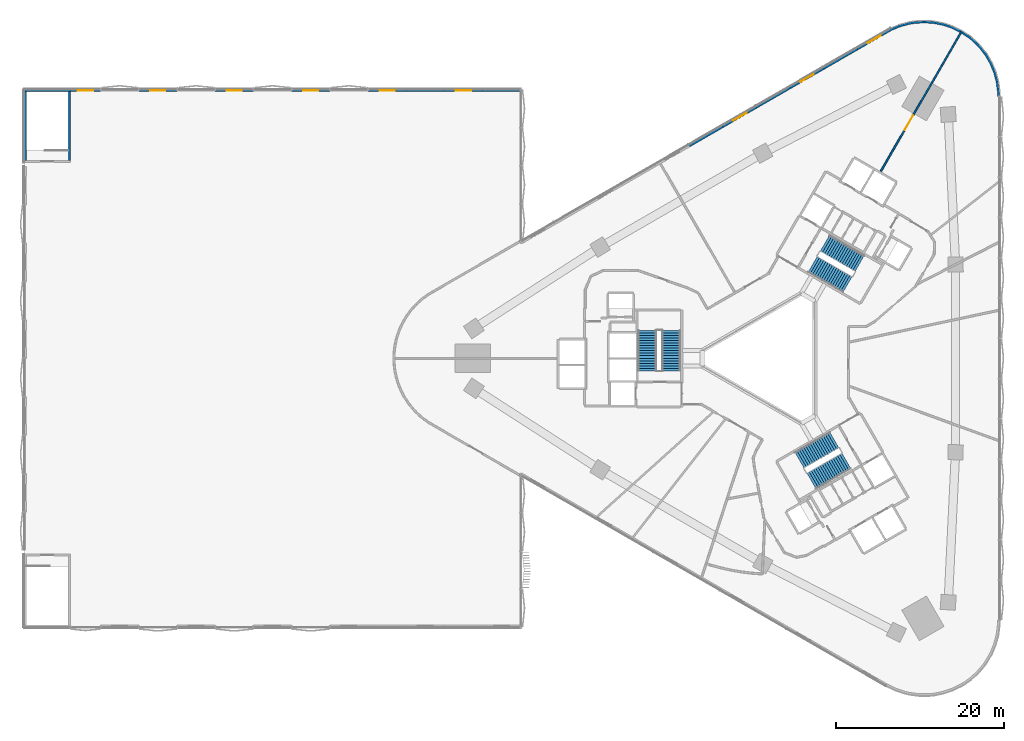
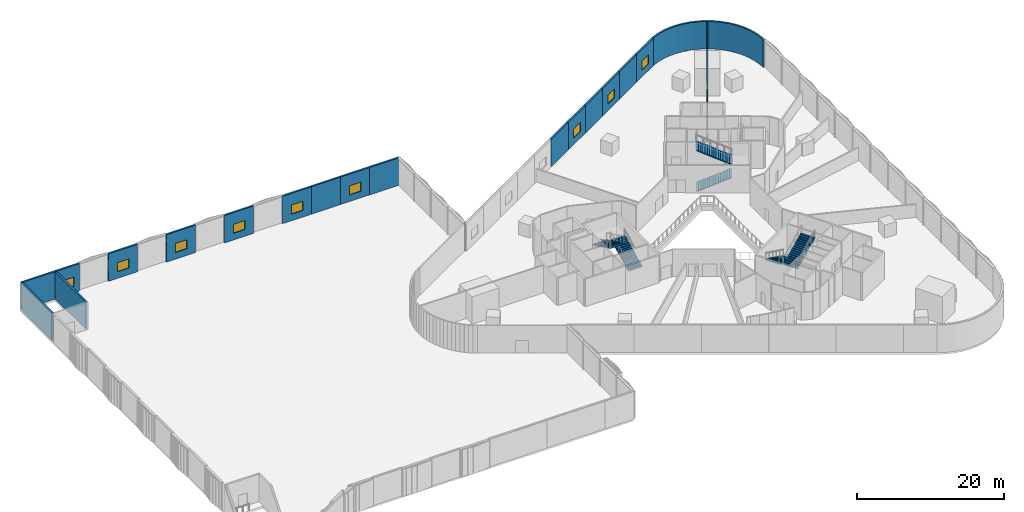
# One storey, part 17 of 24: 19 walls, 9 windows, 6 stair flights, 1 door, 10 openings, 3 elements without a shape of their own.
"""IFC4 building model written with IfcOpenShell, lengths in metres."""

from ifc_helpers import new_model, si_unit, direction, frame, frame_2d, origin, place, context, subcontext, project, spatial, polyline, rectangle, outline, extrude, material, layer, layer_set, type_object, element, fill, aggregate, save


model = new_model("IFC4")

# Units and contexts
model_context = context("Model", 3, precision=1e-05, world=origin(), true_north=direction((0.0, 1.0)))
body_context = subcontext(model_context, "Body", "Model", "MODEL_VIEW")
ifc_project = project(units=[si_unit("LENGTHUNIT", "METRE"), si_unit("AREAUNIT", "SQUARE_METRE"), si_unit("VOLUMEUNIT", "CUBIC_METRE"), si_unit("PLANEANGLEUNIT", "RADIAN"), si_unit("MASSUNIT", "GRAM", prefix="KILO")], contexts=[model_context])

# Site, building, storey
site_placement = place(None, origin())
site = spatial("IfcSite", under=ifc_project, at=site_placement, CompositionType="ELEMENT")
building_placement = place(site_placement, origin())
building = spatial("IfcBuilding", under=site, at=building_placement, Name="Tamra Quay Hotel Tower", CompositionType="ELEMENT")
storey_placement = place(building_placement, frame((0.0, 0.0, 19.5)))
storey = spatial("IfcBuildingStorey", under=building, at=storey_placement, Name="L03", CompositionType="ELEMENT", Elevation=19.5)

# Walls
ifc_material_1 = material(Name="Concrete M70", Category="concrete")
ifc_layer_1 = layer(ifc_material_1, 0.199951171875)
ifc_layer_set_1 = layer_set([ifc_layer_1], Name="Concrete M70 core wall 200")
wall_type_1 = type_object("IfcWallType", Name="Concrete M70 core wall 200", PredefinedType="SHEAR", material=ifc_layer_set_1)
wall_1_placement = place(storey_placement, frame((-89.10009765625, 31.875, 0.0), z_axis=(0.0, 0.0, 1.0), x_axis=(1.0, 0.0, 0.0)))
element("IfcWall", 1, at=wall_1_placement, inside=storey, type_object=wall_type_1, Name="CW2", PredefinedType="SHEAR", context=body_context, shape_type="SweptSolid", body=[
    extrude(rectangle(XDim=5.5, YDim=0.25, at=frame_2d((2.75, 0.0))), origin(), (0.0, 0.0, 1.0), 4.550048828125),
])
for number, where, z_axis, x_axis, name in (
    (2, (-88.97509765625, 23.550048828125, 0.0), (0.0, 0.0, 1.0), (0.0, 1.0, 0.0), "CW2"),
    (3, (-83.72509765625, 23.550048828125, 0.0), (0.0, 0.0, 1.0), (0.0, 1.0, 0.0), "CW2"),
):
    element("IfcWall", number, at=place(storey_placement, frame(where, z_axis=z_axis, x_axis=x_axis)), inside=storey, type_object=wall_type_1, Name=name, PredefinedType="SHEAR", context=body_context, shape_type="SweptSolid", body=[
        extrude(rectangle(XDim=8.199951171875, YDim=0.25, at=frame_2d((4.10009765625, 0.0))), origin(), (0.0, 0.0, 1.0), 4.550048828125),
    ])
ifc_material_2 = material(Name="Blockwork masonry plastered", Category="masonry")
ifc_layer_2 = layer(ifc_material_2, 0.25)
ifc_layer_set_2 = layer_set([ifc_layer_2], Name="EXTERNAL WALL 250")
wall_type_2 = type_object("IfcWallType", Name="EXTERNAL WALL 250", PredefinedType="SOLIDWALL", material=ifc_layer_set_2)
wall_2_placement = place(storey_placement, origin())
element("IfcWall", 4, at=wall_2_placement, inside=storey, type_object=wall_type_2, Name="EW1", PredefinedType="SOLIDWALL", context=body_context, shape_type="SweptSolid", body=[
    extrude(outline(polyline([(27.0, 31.177001953125), (26.980712890625, 31.765625), (26.8271484375, 32.9326171875), (26.5224609375, 34.06982421875), (26.07177734375, 35.157470703125), (25.483154296875, 36.177001953125), (24.7666015625, 37.111083984375), (23.93408203125, 37.943359375), (23.478759765625, 38.317138671875), (22.5, 38.97119140625), (21.444091796875, 39.491943359375), (20.329345703125, 39.870361328125), (19.1748046875, 40.099853515625), (18.0, 40.177001953125), (16.8251953125, 40.099853515625), (16.244140625, 40.00390625), (15.10693359375, 39.69921875), (14.019287109375, 39.248779296875), (14.114990234375, 39.017822265625), (15.1875, 39.462158203125), (16.297119140625, 39.75927734375), (16.853759765625, 39.851318359375), (18.0, 39.92626953125), (19.14208984375, 39.8515625), (20.2646484375, 39.628173828125), (21.348388671875, 39.26025390625), (22.374755859375, 38.754150390625), (23.329833984375, 38.115966796875), (23.76611328125, 37.758056640625), (24.578125, 36.94580078125), (25.27490234375, 36.037841796875), (25.84716796875, 35.046630859375), (26.28515625, 33.9892578125), (26.581298828125, 32.8837890625), (26.731201171875, 31.7451171875), (26.750244140625, 31.168701171875), (27.0, 31.177001953125)])), origin(), (0.0, 0.0, 1.0), 4.550048828125),
])

# Wall, opening, window
wall_3_placement = place(storey_placement, frame((10.080078125, 36.83203125, 0.0), z_axis=(0.0, 0.0, 1.0), x_axis=(0.866216377649, 0.499669077583, 0.0)))
wall_3 = element("IfcWall", 5, at=wall_3_placement, inside=storey, type_object=wall_type_2, Name="EW1", PredefinedType="SOLIDWALL", context=body_context, shape_type="SweptSolid", body=[
    extrude(rectangle(XDim=4.619873046875, YDim=0.25, at=frame_2d((2.31005859375, 0.0))), origin(), (0.0, 0.0, 1.0), 4.550048828125),
])
opening_1_placement = place(wall_3_placement, frame((1.409912109375, 0.0, 1.10009765625)))
opening_1 = element("IfcOpeningElement", 6, at=opening_1_placement, cuts=wall_3, Name="Opening PW2", PredefinedType="OPENING", context=body_context, shape_type="SweptSolid", body=[
    extrude(rectangle(XDim=1.800048828125, YDim=1.5, at=frame_2d((0.89990234375, 0.75))), frame((0.0, 0.135009765625, 0.0), z_axis=(0.0, -1.0, 0.0), x_axis=(1.0, 0.0, 0.0)), (0.0, 0.0, 1.0), 0.27001953125),
])
ifc_material_3 = material(Name="Aluminium window with clear glass", Category="aluminium")
window_type = type_object("IfcWindowType", Name="PODIUM WINDOW 1800X1500", PartitioningType="DOUBLE_PANEL_VERTICAL", PredefinedType="WINDOW", material=ifc_material_3)
window_1_placement = place(opening_1_placement, origin())
window_1 = element("IfcWindow", 7, at=window_1_placement, inside=storey, type_object=window_type, Name="PW2", OverallHeight=1.5, OverallWidth=1.800048828125, PartitioningType="SINGLE_PANEL", PredefinedType="WINDOW", context=body_context, shape_type="SweptSolid", body=[
    extrude(rectangle(XDim=1.800048828125, YDim=1.5, at=frame_2d((0.89990234375, 0.75))), frame((0.0, 0.030029296875, 0.0), z_axis=(0.0, -1.0, 0.0), x_axis=(1.0, 0.0, 0.0)), (0.0, 0.0, 1.0), 0.06005859375),
])
fill(opening_1, window_1)

# Wall
wall_4_placement = place(storey_placement, frame((6.078369140625, 34.523681640625, 0.0), z_axis=(0.0, 0.0, 1.0), x_axis=(0.866216377649, 0.499669077583, 0.0)))
element("IfcWall", 8, at=wall_4_placement, inside=storey, type_object=wall_type_2, Name="EW1", PredefinedType="SOLIDWALL", context=body_context, shape_type="SweptSolid", body=[
    extrude(rectangle(XDim=4.619873046875, YDim=0.25, at=frame_2d((2.31005859375, 0.0))), origin(), (0.0, 0.0, 1.0), 4.550048828125),
])

# Wall, opening, window
wall_5_placement = place(storey_placement, frame((2.07666015625, 32.21533203125, 0.0), z_axis=(0.0, 0.0, 1.0), x_axis=(0.866216377649, 0.499669077583, 0.0)))
wall_5 = element("IfcWall", 9, at=wall_5_placement, inside=storey, type_object=wall_type_2, Name="EW1", PredefinedType="SOLIDWALL", context=body_context, shape_type="SweptSolid", body=[
    extrude(rectangle(XDim=4.619873046875, YDim=0.25, at=frame_2d((2.31005859375, 0.0))), origin(), (0.0, 0.0, 1.0), 4.550048828125),
])
opening_2_placement = place(wall_5_placement, frame((1.409912109375, 0.0, 1.10009765625)))
opening_2 = element("IfcOpeningElement", 10, at=opening_2_placement, cuts=wall_5, Name="Opening PW2", PredefinedType="OPENING", context=body_context, shape_type="SweptSolid", body=[
    extrude(rectangle(XDim=1.800048828125, YDim=1.5, at=frame_2d((0.89990234375, 0.75))), frame((0.0, 0.135009765625, 0.0), z_axis=(0.0, -1.0, 0.0), x_axis=(1.0, 0.0, 0.0)), (0.0, 0.0, 1.0), 0.27001953125),
])
window_2_placement = place(opening_2_placement, origin())
window_2 = element("IfcWindow", 11, at=window_2_placement, inside=storey, type_object=window_type, Name="PW2", OverallHeight=1.5, OverallWidth=1.800048828125, PartitioningType="SINGLE_PANEL", PredefinedType="WINDOW", context=body_context, shape_type="SweptSolid", body=[
    extrude(rectangle(XDim=1.800048828125, YDim=1.5, at=frame_2d((0.89990234375, 0.75))), frame((0.0, 0.030029296875, 0.0), z_axis=(0.0, -1.0, 0.0), x_axis=(1.0, 0.0, 0.0)), (0.0, 0.0, 1.0), 0.06005859375),
])
fill(opening_2, window_2)

# Wall
wall_6_placement = place(storey_placement, frame((-1.92529296875, 29.906982421875, 0.0), z_axis=(0.0, 0.0, 1.0), x_axis=(0.866229571029, 0.499646205105, 0.0)))
element("IfcWall", 12, at=wall_6_placement, inside=storey, type_object=wall_type_2, Name="EW1", PredefinedType="SOLIDWALL", context=body_context, shape_type="SweptSolid", body=[
    extrude(rectangle(XDim=4.619873046875, YDim=0.25, at=frame_2d((2.31005859375, 0.0))), origin(), (0.0, 0.0, 1.0), 4.550048828125),
])

# Wall, opening, window
wall_7_placement = place(storey_placement, frame((-5.927001953125, 27.598388671875, 0.0), z_axis=(0.0, 0.0, 1.0), x_axis=(0.866193503994, 0.4997087288, 0.0)))
wall_7 = element("IfcWall", 13, at=wall_7_placement, inside=storey, type_object=wall_type_2, Name="EW1", PredefinedType="SOLIDWALL", context=body_context, shape_type="SweptSolid", body=[
    extrude(rectangle(XDim=4.619873046875, YDim=0.25, at=frame_2d((2.31005859375, 0.0))), origin(), (0.0, 0.0, 1.0), 4.550048828125),
])
opening_3_placement = place(wall_7_placement, frame((1.409912109375, 0.0, 1.10009765625)))
opening_3 = element("IfcOpeningElement", 14, at=opening_3_placement, cuts=wall_7, Name="Opening PW2", PredefinedType="OPENING", context=body_context, shape_type="SweptSolid", body=[
    extrude(rectangle(XDim=1.800048828125, YDim=1.5, at=frame_2d((0.89990234375, 0.75))), frame((0.0, 0.135009765625, 0.0), z_axis=(0.0, -1.0, 0.0), x_axis=(1.0, 0.0, 0.0)), (0.0, 0.0, 1.0), 0.27001953125),
])
window_3_placement = place(opening_3_placement, origin())
window_3 = element("IfcWindow", 15, at=window_3_placement, inside=storey, type_object=window_type, Name="PW2", OverallHeight=1.5, OverallWidth=1.800048828125, PartitioningType="SINGLE_PANEL", PredefinedType="WINDOW", context=body_context, shape_type="SweptSolid", body=[
    extrude(rectangle(XDim=1.800048828125, YDim=1.5, at=frame_2d((0.89990234375, 0.75))), frame((0.0, 0.030029296875, 0.0), z_axis=(0.0, -1.0, 0.0), x_axis=(1.0, 0.0, 0.0)), (0.0, 0.0, 1.0), 0.06005859375),
])
fill(opening_3, window_3)

# Walls
wall_8_placement = place(storey_placement, frame((-9.9287109375, 25.2900390625, 0.0), z_axis=(0.0, 0.0, 1.0), x_axis=(0.866216377649, 0.499669077583, 0.0)))
element("IfcWall", 16, at=wall_8_placement, inside=storey, type_object=wall_type_2, Name="EW1", PredefinedType="SOLIDWALL", context=body_context, shape_type="SweptSolid", body=[
    extrude(rectangle(XDim=4.619873046875, YDim=0.25, at=frame_2d((2.31005859375, 0.0))), origin(), (0.0, 0.0, 1.0), 4.550048828125),
])
wall_9_placement = place(storey_placement, frame((-34.546142578125, 31.875, 0.0), z_axis=(0.0, 0.0, 1.0), x_axis=(1.0, 0.0, 0.0)))
element("IfcWall", 17, at=wall_9_placement, inside=storey, type_object=wall_type_2, Name="EW1", PredefinedType="SOLIDWALL", context=body_context, shape_type="SweptSolid", body=[
    extrude(rectangle(XDim=4.546142578125, YDim=0.25, at=frame_2d((2.27294921875, 0.0))), origin(), (0.0, 0.0, 1.0), 4.550048828125),
])

# Wall, opening, window
wall_10_placement = place(storey_placement, frame((-39.09228515625, 31.875, 0.0), z_axis=(0.0, 0.0, 1.0), x_axis=(1.0, 0.0, 0.0)))
wall_10 = element("IfcWall", 18, at=wall_10_placement, inside=storey, type_object=wall_type_2, Name="EW1", PredefinedType="SOLIDWALL", context=body_context, shape_type="SweptSolid", body=[
    extrude(rectangle(XDim=4.546142578125, YDim=0.25, at=frame_2d((2.27294921875, 0.0))), origin(), (0.0, 0.0, 1.0), 4.550048828125),
])
opening_4_placement = place(wall_10_placement, frame((1.373046875, 0.0, 1.10009765625)))
opening_4 = element("IfcOpeningElement", 19, at=opening_4_placement, cuts=wall_10, Name="Opening PW2", PredefinedType="OPENING", context=body_context, shape_type="SweptSolid", body=[
    extrude(rectangle(XDim=1.800048828125, YDim=1.5, at=frame_2d((0.89990234375, 0.75))), frame((0.0, 0.135009765625, 0.0), z_axis=(0.0, -1.0, 0.0), x_axis=(1.0, 0.0, 0.0)), (0.0, 0.0, 1.0), 0.27001953125),
])
window_4_placement = place(opening_4_placement, origin())
window_4 = element("IfcWindow", 20, at=window_4_placement, inside=storey, type_object=window_type, Name="PW2", OverallHeight=1.5, OverallWidth=1.800048828125, PartitioningType="SINGLE_PANEL", PredefinedType="WINDOW", context=body_context, shape_type="SweptSolid", body=[
    extrude(rectangle(XDim=1.800048828125, YDim=1.5, at=frame_2d((0.89990234375, 0.75))), frame((0.0, 0.030029296875, 0.0), z_axis=(0.0, -1.0, 0.0), x_axis=(1.0, 0.0, 0.0)), (0.0, 0.0, 1.0), 0.06005859375),
])
fill(opening_4, window_4)

# Wall
wall_11_placement = place(storey_placement, frame((-43.638427734375, 31.875, 0.0), z_axis=(0.0, 0.0, 1.0), x_axis=(1.0, 0.0, 0.0)))
element("IfcWall", 21, at=wall_11_placement, inside=storey, type_object=wall_type_2, Name="EW1", PredefinedType="SOLIDWALL", context=body_context, shape_type="SweptSolid", body=[
    extrude(rectangle(XDim=4.546142578125, YDim=0.25, at=frame_2d((2.27294921875, 0.0))), origin(), (0.0, 0.0, 1.0), 4.550048828125),
])

# Wall, opening, window
wall_12_placement = place(storey_placement, frame((-48.1845703125, 31.875, 0.0), z_axis=(0.0, 0.0, 1.0), x_axis=(1.0, 0.0, 0.0)))
wall_12 = element("IfcWall", 22, at=wall_12_placement, inside=storey, type_object=wall_type_2, Name="EW1", PredefinedType="SOLIDWALL", context=body_context, shape_type="SweptSolid", body=[
    extrude(rectangle(XDim=4.546142578125, YDim=0.25, at=frame_2d((2.27294921875, 0.0))), origin(), (0.0, 0.0, 1.0), 4.550048828125),
])
opening_5_placement = place(wall_12_placement, frame((1.373046875, 0.0, 1.10009765625)))
opening_5 = element("IfcOpeningElement", 23, at=opening_5_placement, cuts=wall_12, Name="Opening PW2", PredefinedType="OPENING", context=body_context, shape_type="SweptSolid", body=[
    extrude(rectangle(XDim=1.800048828125, YDim=1.5, at=frame_2d((0.89990234375, 0.75))), frame((0.0, 0.135009765625, 0.0), z_axis=(0.0, -1.0, 0.0), x_axis=(1.0, 0.0, 0.0)), (0.0, 0.0, 1.0), 0.27001953125),
])
window_5_placement = place(opening_5_placement, origin())
window_5 = element("IfcWindow", 24, at=window_5_placement, inside=storey, type_object=window_type, Name="PW2", OverallHeight=1.5, OverallWidth=1.800048828125, PartitioningType="SINGLE_PANEL", PredefinedType="WINDOW", context=body_context, shape_type="SweptSolid", body=[
    extrude(rectangle(XDim=1.800048828125, YDim=1.5, at=frame_2d((0.89990234375, 0.75))), frame((0.0, 0.030029296875, 0.0), z_axis=(0.0, -1.0, 0.0), x_axis=(1.0, 0.0, 0.0)), (0.0, 0.0, 1.0), 0.06005859375),
])
fill(opening_5, window_5)

wall_13_placement = place(storey_placement, frame((-57.27685546875, 31.875, 0.0), z_axis=(0.0, 0.0, 1.0), x_axis=(1.0, 0.0, 0.0)))
wall_13 = element("IfcWall", 25, at=wall_13_placement, inside=storey, type_object=wall_type_2, Name="EW1", PredefinedType="SOLIDWALL", context=body_context, shape_type="SweptSolid", body=[
    extrude(rectangle(XDim=4.546142578125, YDim=0.25, at=frame_2d((2.27294921875, 0.0))), origin(), (0.0, 0.0, 1.0), 4.550048828125),
])
opening_6_placement = place(wall_13_placement, frame((1.373046875, 0.0, 1.10009765625)))
opening_6 = element("IfcOpeningElement", 26, at=opening_6_placement, cuts=wall_13, Name="Opening PW2", PredefinedType="OPENING", context=body_context, shape_type="SweptSolid", body=[
    extrude(rectangle(XDim=1.800048828125, YDim=1.5, at=frame_2d((0.89990234375, 0.75))), frame((0.0, 0.135009765625, 0.0), z_axis=(0.0, -1.0, 0.0), x_axis=(1.0, 0.0, 0.0)), (0.0, 0.0, 1.0), 0.27001953125),
])
window_6_placement = place(opening_6_placement, origin())
window_6 = element("IfcWindow", 27, at=window_6_placement, inside=storey, type_object=window_type, Name="PW2", OverallHeight=1.5, OverallWidth=1.800048828125, PartitioningType="SINGLE_PANEL", PredefinedType="WINDOW", context=body_context, shape_type="SweptSolid", body=[
    extrude(rectangle(XDim=1.800048828125, YDim=1.5, at=frame_2d((0.89990234375, 0.75))), frame((0.0, 0.030029296875, 0.0), z_axis=(0.0, -1.0, 0.0), x_axis=(1.0, 0.0, 0.0)), (0.0, 0.0, 1.0), 0.06005859375),
])
fill(opening_6, window_6)

wall_14_placement = place(storey_placement, frame((-66.369140625, 31.875, 0.0), z_axis=(0.0, 0.0, 1.0), x_axis=(1.0, 0.0, 0.0)))
wall_14 = element("IfcWall", 28, at=wall_14_placement, inside=storey, type_object=wall_type_2, Name="EW1", PredefinedType="SOLIDWALL", context=body_context, shape_type="SweptSolid", body=[
    extrude(rectangle(XDim=4.546142578125, YDim=0.25, at=frame_2d((2.27294921875, 0.0))), origin(), (0.0, 0.0, 1.0), 4.550048828125),
])
opening_7_placement = place(wall_14_placement, frame((1.373046875, 0.0, 1.10009765625)))
opening_7 = element("IfcOpeningElement", 29, at=opening_7_placement, cuts=wall_14, Name="Opening PW2", PredefinedType="OPENING", context=body_context, shape_type="SweptSolid", body=[
    extrude(rectangle(XDim=1.800048828125, YDim=1.5, at=frame_2d((0.89990234375, 0.75))), frame((0.0, 0.135009765625, 0.0), z_axis=(0.0, -1.0, 0.0), x_axis=(1.0, 0.0, 0.0)), (0.0, 0.0, 1.0), 0.27001953125),
])
window_7_placement = place(opening_7_placement, origin())
window_7 = element("IfcWindow", 30, at=window_7_placement, inside=storey, type_object=window_type, Name="PW2", OverallHeight=1.5, OverallWidth=1.800048828125, PartitioningType="SINGLE_PANEL", PredefinedType="WINDOW", context=body_context, shape_type="SweptSolid", body=[
    extrude(rectangle(XDim=1.800048828125, YDim=1.5, at=frame_2d((0.89990234375, 0.75))), frame((0.0, 0.030029296875, 0.0), z_axis=(0.0, -1.0, 0.0), x_axis=(1.0, 0.0, 0.0)), (0.0, 0.0, 1.0), 0.06005859375),
])
fill(opening_7, window_7)

wall_15_placement = place(storey_placement, frame((-75.46142578125, 31.875, 0.0), z_axis=(0.0, 0.0, 1.0), x_axis=(1.0, 0.0, 0.0)))
wall_15 = element("IfcWall", 31, at=wall_15_placement, inside=storey, type_object=wall_type_2, Name="EW1", PredefinedType="SOLIDWALL", context=body_context, shape_type="SweptSolid", body=[
    extrude(rectangle(XDim=4.546142578125, YDim=0.25, at=frame_2d((2.27294921875, 0.0))), origin(), (0.0, 0.0, 1.0), 4.550048828125),
])
opening_8_placement = place(wall_15_placement, frame((1.373046875, 0.0, 1.10009765625)))
opening_8 = element("IfcOpeningElement", 32, at=opening_8_placement, cuts=wall_15, Name="Opening PW2", PredefinedType="OPENING", context=body_context, shape_type="SweptSolid", body=[
    extrude(rectangle(XDim=1.800048828125, YDim=1.5, at=frame_2d((0.89990234375, 0.75))), frame((0.0, 0.135009765625, 0.0), z_axis=(0.0, -1.0, 0.0), x_axis=(1.0, 0.0, 0.0)), (0.0, 0.0, 1.0), 0.27001953125),
])
window_8_placement = place(opening_8_placement, origin())
window_8 = element("IfcWindow", 33, at=window_8_placement, inside=storey, type_object=window_type, Name="PW2", OverallHeight=1.5, OverallWidth=1.800048828125, PartitioningType="SINGLE_PANEL", PredefinedType="WINDOW", context=body_context, shape_type="SweptSolid", body=[
    extrude(rectangle(XDim=1.800048828125, YDim=1.5, at=frame_2d((0.89990234375, 0.75))), frame((0.0, 0.030029296875, 0.0), z_axis=(0.0, -1.0, 0.0), x_axis=(1.0, 0.0, 0.0)), (0.0, 0.0, 1.0), 0.06005859375),
])
fill(opening_8, window_8)

wall_16_placement = place(storey_placement, frame((-83.60009765625, 31.875, 0.0), z_axis=(0.0, 0.0, 1.0), x_axis=(1.0, 0.0, 0.0)))
wall_16 = element("IfcWall", 34, at=wall_16_placement, inside=storey, type_object=wall_type_2, Name="EW1", PredefinedType="SOLIDWALL", context=body_context, shape_type="SweptSolid", body=[
    extrude(rectangle(XDim=3.59228515625, YDim=0.25, at=frame_2d((1.796142578125, 0.0))), origin(), (0.0, 0.0, 1.0), 4.550048828125),
])
opening_9_placement = place(wall_16_placement, frame((0.896240234375, 0.0, 1.10009765625)))
opening_9 = element("IfcOpeningElement", 35, at=opening_9_placement, cuts=wall_16, Name="Opening PW2", PredefinedType="OPENING", context=body_context, shape_type="SweptSolid", body=[
    extrude(rectangle(XDim=1.800048828125, YDim=1.5, at=frame_2d((0.89990234375, 0.75))), frame((0.0, 0.135009765625, 0.0), z_axis=(0.0, -1.0, 0.0), x_axis=(1.0, 0.0, 0.0)), (0.0, 0.0, 1.0), 0.27001953125),
])
window_9_placement = place(opening_9_placement, origin())
window_9 = element("IfcWindow", 36, at=window_9_placement, inside=storey, type_object=window_type, Name="PW2", OverallHeight=1.5, OverallWidth=1.800048828125, PartitioningType="SINGLE_PANEL", PredefinedType="WINDOW", context=body_context, shape_type="SweptSolid", body=[
    extrude(rectangle(XDim=1.800048828125, YDim=1.5, at=frame_2d((0.89990234375, 0.75))), frame((0.0, 0.030029296875, 0.0), z_axis=(0.0, -1.0, 0.0), x_axis=(1.0, 0.0, 0.0)), (0.0, 0.0, 1.0), 0.06005859375),
])
fill(opening_9, window_9)

# Wall, opening, door
ifc_material_4 = material(Name="Partition party wall")
ifc_layer_3 = layer(ifc_material_4, 0.199951171875)
ifc_layer_set_3 = layer_set([ifc_layer_3], Name="Partition party wall")
wall_type_3 = type_object("IfcWallType", Name="Partition party wall", PredefinedType="PARTITIONING", material=ifc_layer_set_3)
wall_17_placement = place(storey_placement, frame((12.861083984375, 22.276123046875, 0.0), z_axis=(0.0, 0.0, 1.0), x_axis=(0.499989278408, 0.86603159381, 0.0)))
wall_17 = element("IfcWall", 37, at=wall_17_placement, inside=storey, type_object=wall_type_3, Name="W-P", PredefinedType="PARTITIONING", context=body_context, shape_type="SweptSolid", body=[
    extrude(rectangle(XDim=19.27294921875, YDim=0.199951171875, at=frame_2d((9.636474609375, 0.0))), origin(), (0.0, 0.0, 1.0), 4.550048828125),
])
opening_10_placement = place(wall_17_placement, frame((5.673095703125, 0.0, 0.0)))
opening_10 = element("IfcOpeningElement", 38, at=opening_10_placement, cuts=wall_17, Name="Opening L03-D013", PredefinedType="OPENING", context=body_context, shape_type="SweptSolid", body=[
    extrude(rectangle(XDim=2.0, YDim=2.10009765625, at=frame_2d((1.0, 1.050048828125))), frame((0.0, 0.10986328125, 0.0), z_axis=(0.0, -1.0, 0.0), x_axis=(1.0, 0.0, 0.0)), (0.0, 0.0, 1.0), 0.219970703125),
])
ifc_material_5 = material(Name="Door double leaf 2000x2100")
door_type = type_object("IfcDoorType", Name="Door double leaf 2000x2100", OperationType="DOUBLE_DOOR_SINGLE_SWING", PredefinedType="DOOR", material=ifc_material_5)
door_placement = place(opening_10_placement, frame((2.0, 0.0, 0.0), z_axis=(0.0, 0.0, 1.0), x_axis=(-1.0, 0.0, 0.0)))
door = element("IfcDoor", 39, at=door_placement, inside=storey, type_object=door_type, Name="L03-D013", OperationType="DOUBLE_DOOR_SINGLE_SWING", OverallHeight=2.10009765625, OverallWidth=2.0, PredefinedType="DOOR", context=body_context, shape_type="SweptSolid", body=[
    extrude(rectangle(XDim=2.0, YDim=2.10009765625, at=frame_2d((1.0, 1.050048828125))), frame((0.0, 0.02490234375, 0.0), z_axis=(0.0, -1.0, 0.0), x_axis=(1.0, 0.0, 0.0)), (0.0, 0.0, 1.0), 0.050048828125),
])
fill(opening_10, door)

# Stair, stair flights
ifc_material_6 = material(Name="Exit stair 2200 34 risers 147.1 going 299")
stair_type = type_object("IfcStairType", Name="Exit stair 2200 34 risers 147.1 going 299", PredefinedType="HALF_TURN_STAIR", material=ifc_material_6)
stair_1_placement = place(storey_placement, origin())
stair_1 = element("IfcStair", 40, at=stair_1_placement, inside=storey, type_object=stair_type, Name="L03 Exit stair ST3", PredefinedType="HALF_TURN_STAIR")
ifc_material_7 = material(Name="Exit stair flight 2200 17 risers 147.1")
stair_flight_type = type_object("IfcStairFlightType", Name="Exit stair flight 2200 17 risers 147.1", PredefinedType="STRAIGHT", material=ifc_material_7)
stair_flight_1_placement = place(storey_placement, frame((-12.082275390625, -1.47998046875, 0.0), z_axis=(0.0, 0.0, 1.0), x_axis=(0.0, 1.0, 0.0)))
stair_flight_1 = element("IfcStairFlight", 41, at=stair_flight_1_placement, type_object=stair_flight_type, Name="ST3 flight 1", NumberOfRisers=17, NumberOfTreads=16, PredefinedType="STRAIGHT", RiserHeight=0.147058824, TreadLength=0.299, context=body_context, shape_type="SweptSolid", body=[
    extrude(outline(polyline([(0.0, 0.0), (0.0, 0.14697265625), (0.299072265625, 0.14697265625), (0.299072265625, 0.294189453125), (0.597900390625, 0.294189453125), (0.597900390625, 0.441162109375), (0.89697265625, 0.441162109375), (0.89697265625, 0.588134765625), (1.196044921875, 0.588134765625), (1.196044921875, 0.7353515625), (1.4951171875, 0.7353515625), (1.4951171875, 0.88232421875), (1.7939453125, 0.88232421875), (1.7939453125, 1.029296875), (2.093017578125, 1.029296875), (2.093017578125, 1.176513671875), (2.39208984375, 1.176513671875), (2.39208984375, 1.323486328125), (2.69091796875, 1.323486328125), (2.69091796875, 1.470703125), (2.989990234375, 1.470703125), (2.989990234375, 1.61767578125), (3.2890625, 1.61767578125), (3.2890625, 1.7646484375), (3.587890625, 1.7646484375), (3.587890625, 1.911865234375), (3.886962890625, 1.911865234375), (3.886962890625, 2.058837890625), (4.18603515625, 2.058837890625), (4.18603515625, 2.205810546875), (4.485107421875, 2.205810546875), (4.485107421875, 2.35302734375), (4.783935546875, 2.35302734375), (4.783935546875, 2.5), (4.783935546875, 2.241455078125), (0.226806640625, 0.0), (0.0, 0.0)])), frame((0.0, 1.10009765625, 0.0), z_axis=(0.0, -1.0, 0.0), x_axis=(1.0, 0.0, 0.0)), (0.0, 0.0, 1.0), 2.199951171875),
])
stair_flight_2_placement = place(storey_placement, frame((-14.94140625, 3.303955078125, 2.5), z_axis=(0.0, 0.0, 1.0), x_axis=(0.0, -1.0, 0.0)))
stair_flight_2 = element("IfcStairFlight", 42, at=stair_flight_2_placement, type_object=stair_flight_type, Name="ST3 flight 2", NumberOfRisers=17, NumberOfTreads=16, PredefinedType="STRAIGHT", RiserHeight=0.147058824, TreadLength=0.299, context=body_context, shape_type="SweptSolid", body=[
    extrude(outline(polyline([(0.0, 0.0), (0.0, 0.14697265625), (0.299072265625, 0.14697265625), (0.299072265625, 0.294189453125), (0.597900390625, 0.294189453125), (0.597900390625, 0.441162109375), (0.89697265625, 0.441162109375), (0.89697265625, 0.588134765625), (1.196044921875, 0.588134765625), (1.196044921875, 0.7353515625), (1.4951171875, 0.7353515625), (1.4951171875, 0.88232421875), (1.7939453125, 0.88232421875), (1.7939453125, 1.029296875), (2.093017578125, 1.029296875), (2.093017578125, 1.176513671875), (2.39208984375, 1.176513671875), (2.39208984375, 1.323486328125), (2.69091796875, 1.323486328125), (2.69091796875, 1.470703125), (2.989990234375, 1.470703125), (2.989990234375, 1.61767578125), (3.2890625, 1.61767578125), (3.2890625, 1.7646484375), (3.587890625, 1.7646484375), (3.587890625, 1.911865234375), (3.886962890625, 1.911865234375), (3.886962890625, 2.058837890625), (4.18603515625, 2.058837890625), (4.18603515625, 2.205810546875), (4.485107421875, 2.205810546875), (4.485107421875, 2.35302734375), (4.783935546875, 2.35302734375), (4.783935546875, 2.5), (4.783935546875, 2.241455078125), (0.226806640625, 0.0), (0.0, 0.0)])), frame((0.0, 1.10009765625, 0.0), z_axis=(0.0, -1.0, 0.0), x_axis=(1.0, 0.0, 0.0)), (0.0, 0.0, 1.0), 2.199951171875),
])
aggregate(stair_1, [stair_flight_1, stair_flight_2])

stair_2_placement = place(storey_placement, origin())
stair_2 = element("IfcStair", 43, at=stair_2_placement, inside=storey, type_object=stair_type, Name="L03 Exit stair ST1", PredefinedType="HALF_TURN_STAIR")
stair_flight_3_placement = place(storey_placement, frame((4.75927734375, 11.20361328125, 0.0), z_axis=(0.0, 0.0, 1.0), x_axis=(0.866025403784, -0.5, 0.0)))
stair_flight_3 = element("IfcStairFlight", 44, at=stair_flight_3_placement, type_object=stair_flight_type, Name="ST1 flight 1", NumberOfRisers=17, NumberOfTreads=16, PredefinedType="STRAIGHT", RiserHeight=0.147058824, TreadLength=0.299, context=body_context, shape_type="SweptSolid", body=[
    extrude(outline(polyline([(0.0, 0.0), (0.0, 0.14697265625), (0.299072265625, 0.14697265625), (0.299072265625, 0.294189453125), (0.597900390625, 0.294189453125), (0.597900390625, 0.441162109375), (0.89697265625, 0.441162109375), (0.89697265625, 0.588134765625), (1.196044921875, 0.588134765625), (1.196044921875, 0.7353515625), (1.4951171875, 0.7353515625), (1.4951171875, 0.88232421875), (1.7939453125, 0.88232421875), (1.7939453125, 1.029296875), (2.093017578125, 1.029296875), (2.093017578125, 1.176513671875), (2.39208984375, 1.176513671875), (2.39208984375, 1.323486328125), (2.69091796875, 1.323486328125), (2.69091796875, 1.470703125), (2.989990234375, 1.470703125), (2.989990234375, 1.61767578125), (3.2890625, 1.61767578125), (3.2890625, 1.7646484375), (3.587890625, 1.7646484375), (3.587890625, 1.911865234375), (3.886962890625, 1.911865234375), (3.886962890625, 2.058837890625), (4.18603515625, 2.058837890625), (4.18603515625, 2.205810546875), (4.485107421875, 2.205810546875), (4.485107421875, 2.35302734375), (4.783935546875, 2.35302734375), (4.783935546875, 2.5), (4.783935546875, 2.241455078125), (0.226806640625, 0.0), (0.0, 0.0)])), frame((0.0, 1.10009765625, 0.0), z_axis=(0.0, -1.0, 0.0), x_axis=(1.0, 0.0, 0.0)), (0.0, 0.0, 1.0), 2.199951171875),
])
stair_flight_4_placement = place(storey_placement, frame((10.331787109375, 11.28759765625, 2.5), z_axis=(0.0, 0.0, 1.0), x_axis=(-0.866025403784, 0.5, 0.0)))
stair_flight_4 = element("IfcStairFlight", 45, at=stair_flight_4_placement, type_object=stair_flight_type, Name="ST1 flight 2", NumberOfRisers=17, NumberOfTreads=16, PredefinedType="STRAIGHT", RiserHeight=0.147058824, TreadLength=0.299, context=body_context, shape_type="SweptSolid", body=[
    extrude(outline(polyline([(0.0, 0.0), (0.0, 0.14697265625), (0.299072265625, 0.14697265625), (0.299072265625, 0.294189453125), (0.597900390625, 0.294189453125), (0.597900390625, 0.441162109375), (0.89697265625, 0.441162109375), (0.89697265625, 0.588134765625), (1.196044921875, 0.588134765625), (1.196044921875, 0.7353515625), (1.4951171875, 0.7353515625), (1.4951171875, 0.88232421875), (1.7939453125, 0.88232421875), (1.7939453125, 1.029296875), (2.093017578125, 1.029296875), (2.093017578125, 1.176513671875), (2.39208984375, 1.176513671875), (2.39208984375, 1.323486328125), (2.69091796875, 1.323486328125), (2.69091796875, 1.470703125), (2.989990234375, 1.470703125), (2.989990234375, 1.61767578125), (3.2890625, 1.61767578125), (3.2890625, 1.7646484375), (3.587890625, 1.7646484375), (3.587890625, 1.911865234375), (3.886962890625, 1.911865234375), (3.886962890625, 2.058837890625), (4.18603515625, 2.058837890625), (4.18603515625, 2.205810546875), (4.485107421875, 2.205810546875), (4.485107421875, 2.35302734375), (4.783935546875, 2.35302734375), (4.783935546875, 2.5), (4.783935546875, 2.241455078125), (0.226806640625, 0.0), (0.0, 0.0)])), frame((0.0, 1.10009765625, 0.0), z_axis=(0.0, -1.0, 0.0), x_axis=(1.0, 0.0, 0.0)), (0.0, 0.0, 1.0), 2.199951171875),
])
aggregate(stair_2, [stair_flight_3, stair_flight_4])

stair_3_placement = place(storey_placement, origin())
stair_3 = element("IfcStair", 46, at=stair_3_placement, inside=storey, type_object=stair_type, Name="L03 Exit stair ST2", PredefinedType="HALF_TURN_STAIR")
stair_flight_5_placement = place(storey_placement, frame((7.322998046875, -9.7236328125, 0.0), z_axis=(0.0, 0.0, 1.0), x_axis=(-0.866025403784, -0.5, 0.0)))
stair_flight_5 = element("IfcStairFlight", 47, at=stair_flight_5_placement, type_object=stair_flight_type, Name="ST2 flight 1", NumberOfRisers=17, NumberOfTreads=16, PredefinedType="STRAIGHT", RiserHeight=0.147058824, TreadLength=0.299, context=body_context, shape_type="SweptSolid", body=[
    extrude(outline(polyline([(0.0, 0.0), (0.0, 0.14697265625), (0.299072265625, 0.14697265625), (0.299072265625, 0.294189453125), (0.597900390625, 0.294189453125), (0.597900390625, 0.441162109375), (0.89697265625, 0.441162109375), (0.89697265625, 0.588134765625), (1.196044921875, 0.588134765625), (1.196044921875, 0.7353515625), (1.4951171875, 0.7353515625), (1.4951171875, 0.88232421875), (1.7939453125, 0.88232421875), (1.7939453125, 1.029296875), (2.093017578125, 1.029296875), (2.093017578125, 1.176513671875), (2.39208984375, 1.176513671875), (2.39208984375, 1.323486328125), (2.69091796875, 1.323486328125), (2.69091796875, 1.470703125), (2.989990234375, 1.470703125), (2.989990234375, 1.61767578125), (3.2890625, 1.61767578125), (3.2890625, 1.7646484375), (3.587890625, 1.7646484375), (3.587890625, 1.911865234375), (3.886962890625, 1.911865234375), (3.886962890625, 2.058837890625), (4.18603515625, 2.058837890625), (4.18603515625, 2.205810546875), (4.485107421875, 2.205810546875), (4.485107421875, 2.35302734375), (4.783935546875, 2.35302734375), (4.783935546875, 2.5), (4.783935546875, 2.241455078125), (0.226806640625, 0.0), (0.0, 0.0)])), frame((0.0, 1.10009765625, 0.0), z_axis=(0.0, -1.0, 0.0), x_axis=(1.0, 0.0, 0.0)), (0.0, 0.0, 1.0), 2.199951171875),
])
stair_flight_6_placement = place(storey_placement, frame((4.609375, -14.591552734375, 2.5), z_axis=(0.0, 0.0, 1.0), x_axis=(0.866025403784, 0.5, 0.0)))
stair_flight_6 = element("IfcStairFlight", 48, at=stair_flight_6_placement, type_object=stair_flight_type, Name="ST2 flight 2", NumberOfRisers=17, NumberOfTreads=16, PredefinedType="STRAIGHT", RiserHeight=0.147058824, TreadLength=0.299, context=body_context, shape_type="SweptSolid", body=[
    extrude(outline(polyline([(0.0, 0.0), (0.0, 0.14697265625), (0.299072265625, 0.14697265625), (0.299072265625, 0.294189453125), (0.597900390625, 0.294189453125), (0.597900390625, 0.441162109375), (0.89697265625, 0.441162109375), (0.89697265625, 0.588134765625), (1.196044921875, 0.588134765625), (1.196044921875, 0.7353515625), (1.4951171875, 0.7353515625), (1.4951171875, 0.88232421875), (1.7939453125, 0.88232421875), (1.7939453125, 1.029296875), (2.093017578125, 1.029296875), (2.093017578125, 1.176513671875), (2.39208984375, 1.176513671875), (2.39208984375, 1.323486328125), (2.69091796875, 1.323486328125), (2.69091796875, 1.470703125), (2.989990234375, 1.470703125), (2.989990234375, 1.61767578125), (3.2890625, 1.61767578125), (3.2890625, 1.7646484375), (3.587890625, 1.7646484375), (3.587890625, 1.911865234375), (3.886962890625, 1.911865234375), (3.886962890625, 2.058837890625), (4.18603515625, 2.058837890625), (4.18603515625, 2.205810546875), (4.485107421875, 2.205810546875), (4.485107421875, 2.35302734375), (4.783935546875, 2.35302734375), (4.783935546875, 2.5), (4.783935546875, 2.241455078125), (0.226806640625, 0.0), (0.0, 0.0)])), frame((0.0, 1.10009765625, 0.0), z_axis=(0.0, -1.0, 0.0), x_axis=(1.0, 0.0, 0.0)), (0.0, 0.0, 1.0), 2.199951171875),
])
aggregate(stair_3, [stair_flight_5, stair_flight_6])

save(model, "model.ifc")
